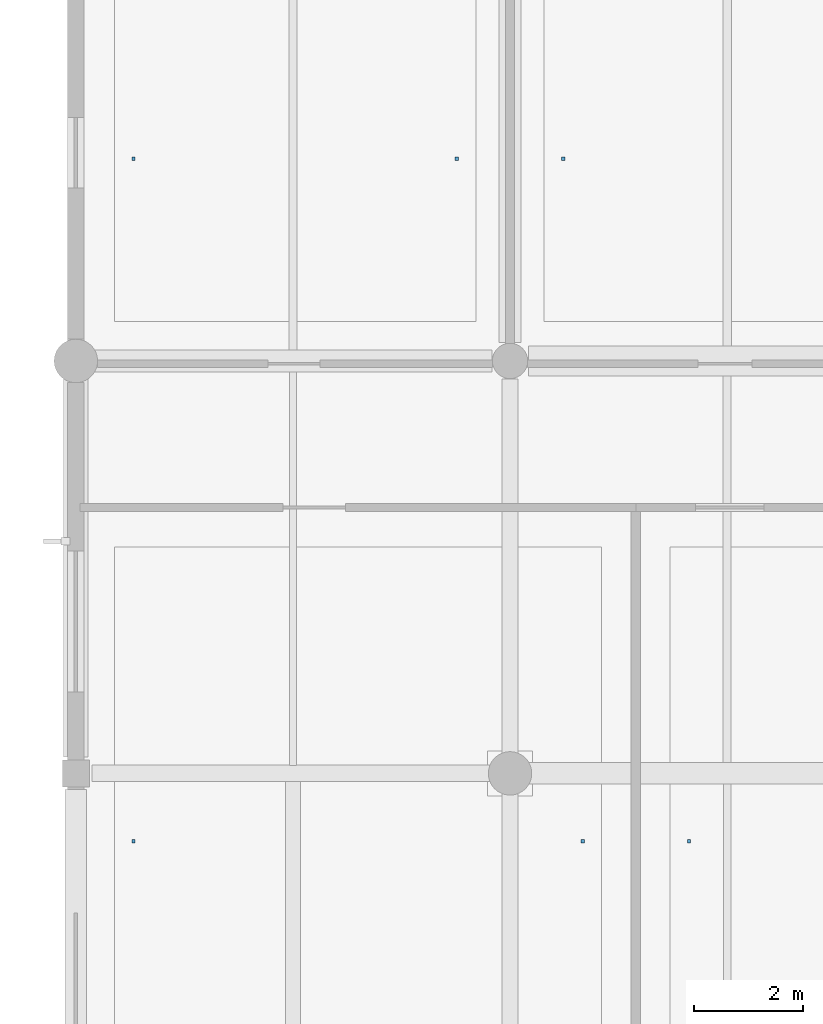
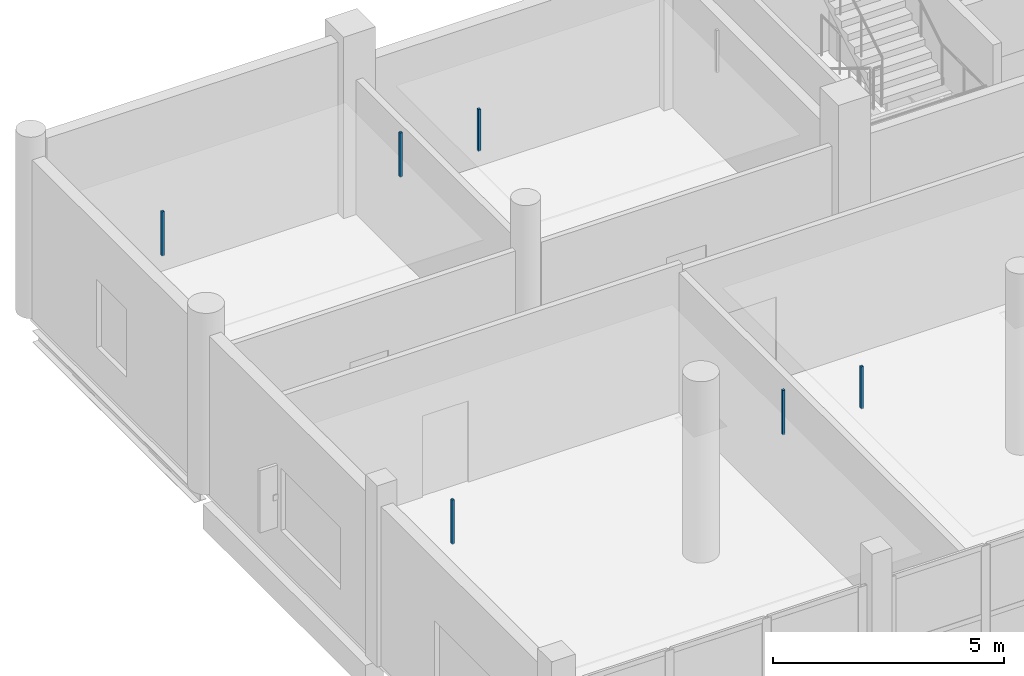
# One storey, part 119 of 141: 6 discrete accessories.
"""IFC4 building model written with IfcOpenShell, lengths in metres."""

from ifc_helpers import new_model, si_unit, direction, frame, origin, origin_2d, place, context, subcontext, project, spatial, rectangle, extrude, material, type_object, element, save


model = new_model("IFC4")

# Units and contexts
model_context = context("Model", 3, precision=1e-05, world=origin(), true_north=direction((0.0, 1.0)))
body_context = subcontext(model_context, "Body", "Model", "MODEL_VIEW")
ifc_project = project(units=[si_unit("LENGTHUNIT", "METRE"), si_unit("AREAUNIT", "SQUARE_METRE"), si_unit("VOLUMEUNIT", "CUBIC_METRE"), si_unit("PLANEANGLEUNIT", "RADIAN"), si_unit("MASSUNIT", "GRAM", prefix="KILO")], contexts=[model_context])

# Site, building, storey
site_placement = place(None, origin())
site = spatial("IfcSite", under=ifc_project, at=site_placement, CompositionType="ELEMENT")
building_placement = place(site_placement, origin())
building = spatial("IfcBuilding", under=site, at=building_placement, Name="Khelvaren Railside Concert Hall", CompositionType="ELEMENT")
storey_placement = place(building_placement, frame((0.0, 0.0, 10.199951171875)))
storey = spatial("IfcBuildingStorey", under=building, at=storey_placement, Name="L02", CompositionType="ELEMENT", Elevation=10.199951171875)

# Discrete accessories
ifc_material = material(Name="Galvanised steel acoustic ceiling hanger rod", Category="steel")
discrete_accessory_type = type_object("IfcDiscreteAccessoryType", Name="BRK62", PredefinedType="BRACKET", material=ifc_material)
for number, where, z_axis, x_axis, name in (
    (1, (129.06005859375, 97.550048828125, 3.43017578125), (0.0, 0.0, 1.0), (1.0, 0.0, 0.0), "Acoustic Ceiling Suspension Bracket 146-1"),
    (2, (137.337890625, 97.550048828125, 3.43017578125), (0.0, 0.0, 1.0), (1.0, 0.0, 0.0), "Acoustic Ceiling Suspension Bracket 146-2"),
):
    element("IfcDiscreteAccessory", number, at=place(storey_placement, frame(where, z_axis=z_axis, x_axis=x_axis)), inside=storey, type_object=discrete_accessory_type, Name=name, PredefinedType="BRACKET", context=body_context, shape_type="SweptSolid", body=[
        extrude(rectangle(XDim=0.06005859375, YDim=0.06005859375, at=origin_2d()), origin(), (0.0, 0.0, 1.0), 1.169921875),
    ])
discrete_accessory_1_placement = place(storey_placement, frame((139.298095703125, 97.550048828125, 3.43017578125), z_axis=(0.0, 0.0, 1.0), x_axis=(1.0, 0.0, 0.0)))
element("IfcDiscreteAccessory", 3, at=discrete_accessory_1_placement, inside=storey, type_object=discrete_accessory_type, Name="Acoustic Ceiling Suspension Bracket 147-1", PredefinedType="BRACKET", context=body_context, shape_type="SweptSolid", body=[
    extrude(rectangle(XDim=0.06005859375, YDim=0.06005859375, at=origin_2d()), origin(), (0.0, 0.0, 1.0), 1.110107421875),
])
for number, where, z_axis, x_axis, name in (
    (4, (129.06005859375, 110.125, 3.43017578125), (0.0, 0.0, 1.0), (1.0, 0.0, 0.0), "Acoustic Ceiling Suspension Bracket 151-1"),
    (5, (135.02001953125, 110.125, 3.43017578125), (0.0, 0.0, 1.0), (1.0, 0.0, 0.0), "Acoustic Ceiling Suspension Bracket 151-2"),
):
    element("IfcDiscreteAccessory", number, at=place(storey_placement, frame(where, z_axis=z_axis, x_axis=x_axis)), inside=storey, type_object=discrete_accessory_type, Name=name, PredefinedType="BRACKET", context=body_context, shape_type="SweptSolid", body=[
        extrude(rectangle(XDim=0.06005859375, YDim=0.06005859375, at=origin_2d()), origin(), (0.0, 0.0, 1.0), 1.169921875),
    ])
discrete_accessory_2_placement = place(storey_placement, frame((136.97998046875, 110.125, 3.43017578125), z_axis=(0.0, 0.0, 1.0), x_axis=(1.0, 0.0, 0.0)))
element("IfcDiscreteAccessory", 6, at=discrete_accessory_2_placement, inside=storey, type_object=discrete_accessory_type, Name="Acoustic Ceiling Suspension Bracket 152-1", PredefinedType="BRACKET", context=body_context, shape_type="SweptSolid", body=[
    extrude(rectangle(XDim=0.06005859375, YDim=0.06005859375, at=origin_2d()), origin(), (0.0, 0.0, 1.0), 1.110107421875),
])

save(model, "model.ifc")
